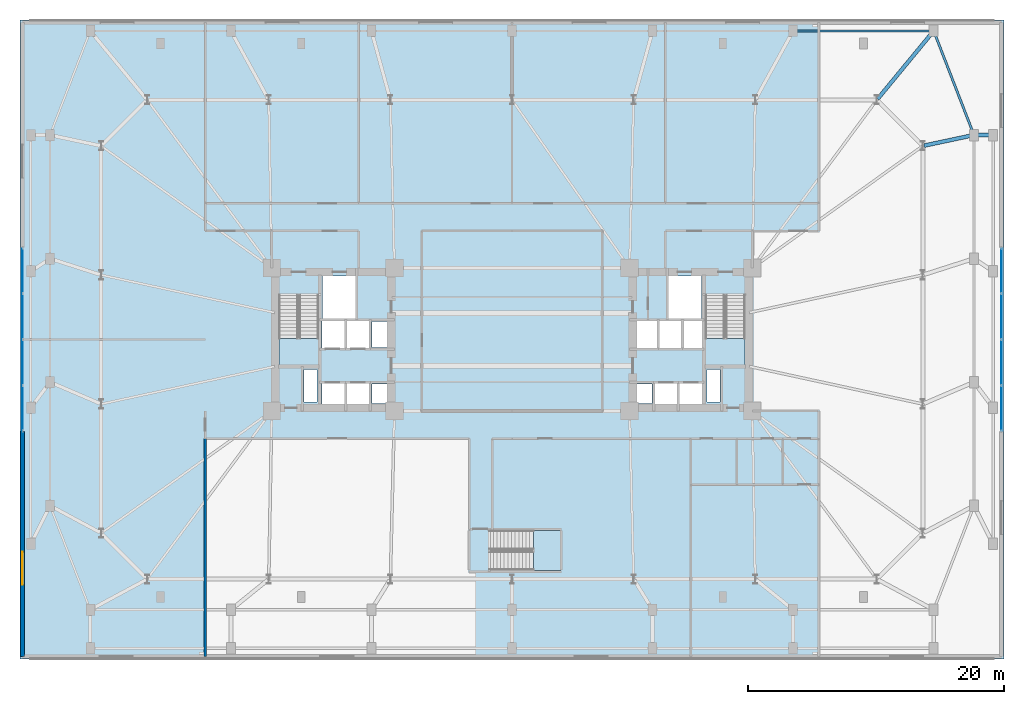
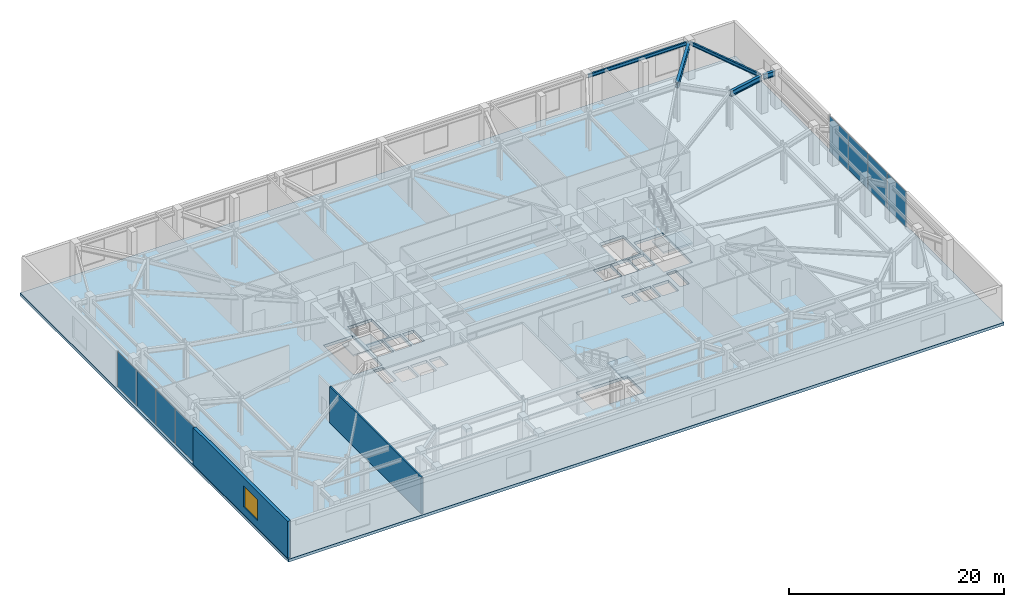
# One storey, part 13 of 23: 8 plates, 5 beams, 4 slabs, 2 walls, 1 window, 1 opening, 5 elements without a shape of their own.
"""IFC4 building model written with IfcOpenShell, lengths in metres."""

from ifc_helpers import new_model, si_unit, direction, frame, frame_2d, origin, origin_2d, place, context, subcontext, project, spatial, polyline, rectangle, i_section, outline, extrude, material, layer, layer_set, material_profile, profile_set, type_object, element, fill, aggregate, save


model = new_model("IFC4")

# Units and contexts
model_context = context("Model", 3, precision=1e-05, world=origin(), true_north=direction((0.0, 1.0)))
body_context = subcontext(model_context, "Body", "Model", "MODEL_VIEW")
ifc_project = project(units=[si_unit("LENGTHUNIT", "METRE"), si_unit("AREAUNIT", "SQUARE_METRE"), si_unit("VOLUMEUNIT", "CUBIC_METRE"), si_unit("PLANEANGLEUNIT", "RADIAN"), si_unit("MASSUNIT", "GRAM", prefix="KILO")], contexts=[model_context])

# Site, building, storey
site_placement = place(None, origin())
site = spatial("IfcSite", under=ifc_project, at=site_placement, CompositionType="ELEMENT")
building_placement = place(site_placement, origin())
building = spatial("IfcBuilding", under=site, at=building_placement, Name="Qobustan Lattice House", CompositionType="ELEMENT")
storey_placement = place(building_placement, frame((0.0, 0.0, 9.0)))
storey = spatial("IfcBuildingStorey", under=building, at=storey_placement, Name="L02", CompositionType="ELEMENT", Elevation=9.0)

# Beams
ifc_material_1 = material(Name="Steel S355", Category="steel")
ifc_material_profile_1 = material_profile(ifc_material_1, i_section(OverallWidth=0.300048828125, OverallDepth=0.60009765625, WebThickness=0.015380859375, FlangeThickness=0.030029296875, FilletRadius=0.027099609375, at=origin_2d()), Name="HEB600")
ifc_profile_set_1 = profile_set([ifc_material_profile_1], Name="Steel S355")
beam_type_1 = type_object("IfcBeamType", Name="BM-POD-HEB600", PredefinedType="USERDEFINED", material=ifc_profile_set_1)
beam_1_placement = place(storey_placement, frame((37.530029296875, 16.0, 3.8701171875), z_axis=(-1.0, 0.0, 0.0), x_axis=(0.0, -1.0, 0.0)))
element("IfcBeam", 1, at=beam_1_placement, inside=storey, type_object=beam_type_1, Name="L02 setback tie girder PEL4", ObjectType="GIRDER", PredefinedType="USERDEFINED", context=body_context, shape_type="SweptSolid", body=[
    extrude(i_section(OverallWidth=0.300048828125, OverallDepth=0.60009765625, WebThickness=0.015380859375, FlangeThickness=0.030029296875, FilletRadius=0.027099609375, at=origin_2d()), origin(), (0.0, 0.0, 1.0), 1.260009765625),
])
beam_2_placement = place(storey_placement, frame((32.923583984375, 24.057373046875, 3.8701171875), z_axis=(-0.635954703728, -0.771726385973, 0.0), x_axis=(0.771726385973, -0.635954703728, 0.0)))
element("IfcBeam", 2, at=beam_2_placement, inside=storey, type_object=beam_type_1, Name="L02 podium radial girder PN7", ObjectType="GIRDER", PredefinedType="USERDEFINED", context=body_context, shape_type="SweptSolid", body=[
    extrude(i_section(OverallWidth=0.300048828125, OverallDepth=0.60009765625, WebThickness=0.015380859375, FlangeThickness=0.030029296875, FilletRadius=0.027099609375, at=origin_2d()), origin(), (0.0, 0.0, 1.0), 6.77734375),
])
beam_3_placement = place(storey_placement, frame((36.03271484375, 15.97509765625, 3.8701171875), z_axis=(-0.978163821655, -0.207835362738, 0.0), x_axis=(0.207835362738, -0.978163821655, 0.0)))
element("IfcBeam", 3, at=beam_3_placement, inside=storey, type_object=beam_type_1, Name="L02 podium radial girder PE4", ObjectType="GIRDER", PredefinedType="USERDEFINED", context=body_context, shape_type="SweptSolid", body=[
    extrude(i_section(OverallWidth=0.300048828125, OverallDepth=0.60009765625, WebThickness=0.015380859375, FlangeThickness=0.030029296875, FilletRadius=0.027099609375, at=origin_2d()), origin(), (0.0, 0.0, 1.0), 3.869384765625),
])
ifc_material_2 = material(Name="Steel S355", Category="steel")
ifc_material_profile_2 = material_profile(ifc_material_2, i_section(OverallWidth=0.179931640625, OverallDepth=0.39990234375, WebThickness=0.008544921875, FlangeThickness=0.013427734375, FilletRadius=0.02099609375, at=origin_2d()), Name="IPE400")
ifc_profile_set_2 = profile_set([ifc_material_profile_2], Name="Steel S355")
beam_type_2 = type_object("IfcBeamType", Name="BM-SPD-IPE400", PredefinedType="SPANDREL", material=ifc_profile_set_2)
beam_4_placement = place(storey_placement, frame((22.1201171875, 24.14990234375, 3.969970703125), z_axis=(1.0, 0.0, 0.0), x_axis=(0.0, 1.0, 0.0)))
element("IfcBeam", 4, at=beam_4_placement, inside=storey, type_object=beam_type_2, Name="L02 podium spandrel PN6-PN7", PredefinedType="SPANDREL", context=body_context, shape_type="SweptSolid", body=[
    extrude(i_section(OverallWidth=0.179931640625, OverallDepth=0.39990234375, WebThickness=0.008544921875, FlangeThickness=0.013427734375, FilletRadius=0.02099609375, at=origin_2d()), origin(), (0.0, 0.0, 1.0), 10.759765625),
])
beam_5_placement = place(storey_placement, frame((33.043212890625, 24.0380859375, 3.969970703125), z_axis=(0.360516886299, -0.932752686779, 0.0), x_axis=(0.932752686779, 0.360516886299, 0.0)))
element("IfcBeam", 5, at=beam_5_placement, inside=storey, type_object=beam_type_2, Name="L02 podium corner tie PN7-PE4", PredefinedType="SPANDREL", context=body_context, shape_type="SweptSolid", body=[
    extrude(i_section(OverallWidth=0.179931640625, OverallDepth=0.39990234375, WebThickness=0.008544921875, FlangeThickness=0.013427734375, FilletRadius=0.02099609375, at=origin_2d()), origin(), (0.0, 0.0, 1.0), 8.49755859375),
])

# Curtain wall, plates
ifc_material_3 = material(Name="Anodised aluminium and low-E glazing", Category="aluminium")
ifc_layer_1 = layer(ifc_material_3, 0.219970703125)
ifc_layer_set_1 = layer_set([ifc_layer_1], Name="Anodised aluminium and low-E glazing")
curtain_wall_type = type_object("IfcCurtainWallType", Name="CW-POD-01", PredefinedType="USERDEFINED", material=ifc_layer_set_1)
curtain_wall_1_placement = place(storey_placement, origin())
curtain_wall_1 = element("IfcCurtainWall", 6, at=curtain_wall_1_placement, inside=storey, type_object=curtain_wall_type, Name="L02 W podium colonnade curtain wall", ObjectType="CURTAIN WALL", PredefinedType="USERDEFINED")
ifc_material_4 = material(Name="Clear low-E laminated glass", Category="glass")
ifc_layer_2 = layer(ifc_material_4, 0.031982421875)
ifc_layer_set_2 = layer_set([ifc_layer_2], Name="Clear low-E laminated glass")
plate_type = type_object("IfcPlateType", Name="CWP-VISION-32", PredefinedType="CURTAIN_PANEL", material=ifc_layer_set_2)
plate_1_placement = place(storey_placement, frame((-38.300048828125, -5.3798828125, 0.06494140625), z_axis=(0.0, 0.0, 1.0), x_axis=(0.0, 1.0, 0.0)))
plate_1 = element("IfcPlate", 7, at=plate_1_placement, type_object=plate_type, Name="CW-P1 panel 1.1", PredefinedType="CURTAIN_PANEL", context=body_context, shape_type="SweptSolid", body=[
    extrude(rectangle(XDim=3.47998046875, YDim=0.031982421875, at=origin_2d()), origin(), (0.0, 0.0, 1.0), 4.0400390625),
])
plate_2_placement = place(storey_placement, frame((-38.300048828125, -1.800048828125, 0.06494140625), z_axis=(0.0, 0.0, 1.0), x_axis=(0.0, 1.0, 0.0)))
plate_2 = element("IfcPlate", 8, at=plate_2_placement, type_object=plate_type, Name="CW-P1 panel 2.1", PredefinedType="CURTAIN_PANEL", context=body_context, shape_type="SweptSolid", body=[
    extrude(rectangle(XDim=3.52001953125, YDim=0.031982421875, at=origin_2d()), origin(), (0.0, 0.0, 1.0), 4.0400390625),
])
plate_3_placement = place(storey_placement, frame((-38.300048828125, 1.800048828125, 0.06494140625), z_axis=(0.0, 0.0, 1.0), x_axis=(0.0, 1.0, 0.0)))
plate_3 = element("IfcPlate", 9, at=plate_3_placement, type_object=plate_type, Name="CW-P1 panel 3.1", PredefinedType="CURTAIN_PANEL", context=body_context, shape_type="SweptSolid", body=[
    extrude(rectangle(XDim=3.52001953125, YDim=0.031982421875, at=origin_2d()), origin(), (0.0, 0.0, 1.0), 4.0400390625),
])
plate_4_placement = place(storey_placement, frame((-38.300048828125, 5.3798828125, 0.06494140625), z_axis=(0.0, 0.0, 1.0), x_axis=(0.0, 1.0, 0.0)))
plate_4 = element("IfcPlate", 10, at=plate_4_placement, type_object=plate_type, Name="CW-P1 panel 4.1", PredefinedType="CURTAIN_PANEL", context=body_context, shape_type="SweptSolid", body=[
    extrude(rectangle(XDim=3.47998046875, YDim=0.031982421875, at=origin_2d()), origin(), (0.0, 0.0, 1.0), 4.0400390625),
])
aggregate(curtain_wall_1, [plate_1, plate_2, plate_3, plate_4])

curtain_wall_2_placement = place(storey_placement, origin())
curtain_wall_2 = element("IfcCurtainWall", 11, at=curtain_wall_2_placement, inside=storey, type_object=curtain_wall_type, Name="L02 E podium colonnade curtain wall", ObjectType="CURTAIN WALL", PredefinedType="USERDEFINED")
plate_5_placement = place(storey_placement, frame((38.300048828125, 5.3798828125, 0.06494140625), z_axis=(0.0, 0.0, 1.0), x_axis=(0.0, -1.0, 0.0)))
plate_5 = element("IfcPlate", 12, at=plate_5_placement, type_object=plate_type, Name="CW-P1 panel 1.1", PredefinedType="CURTAIN_PANEL", context=body_context, shape_type="SweptSolid", body=[
    extrude(rectangle(XDim=3.47998046875, YDim=0.031982421875, at=origin_2d()), origin(), (0.0, 0.0, 1.0), 4.0400390625),
])
plate_6_placement = place(storey_placement, frame((38.300048828125, 1.800048828125, 0.06494140625), z_axis=(0.0, 0.0, 1.0), x_axis=(0.0, -1.0, 0.0)))
plate_6 = element("IfcPlate", 13, at=plate_6_placement, type_object=plate_type, Name="CW-P1 panel 2.1", PredefinedType="CURTAIN_PANEL", context=body_context, shape_type="SweptSolid", body=[
    extrude(rectangle(XDim=3.52001953125, YDim=0.031982421875, at=origin_2d()), origin(), (0.0, 0.0, 1.0), 4.0400390625),
])
plate_7_placement = place(storey_placement, frame((38.300048828125, -1.800048828125, 0.06494140625), z_axis=(0.0, 0.0, 1.0), x_axis=(0.0, -1.0, 0.0)))
plate_7 = element("IfcPlate", 14, at=plate_7_placement, type_object=plate_type, Name="CW-P1 panel 3.1", PredefinedType="CURTAIN_PANEL", context=body_context, shape_type="SweptSolid", body=[
    extrude(rectangle(XDim=3.52001953125, YDim=0.031982421875, at=origin_2d()), origin(), (0.0, 0.0, 1.0), 4.0400390625),
])
plate_8_placement = place(storey_placement, frame((38.300048828125, -5.3798828125, 0.06494140625), z_axis=(0.0, 0.0, 1.0), x_axis=(0.0, -1.0, 0.0)))
plate_8 = element("IfcPlate", 15, at=plate_8_placement, type_object=plate_type, Name="CW-P1 panel 4.1", PredefinedType="CURTAIN_PANEL", context=body_context, shape_type="SweptSolid", body=[
    extrude(rectangle(XDim=3.47998046875, YDim=0.031982421875, at=origin_2d()), origin(), (0.0, 0.0, 1.0), 4.0400390625),
])
aggregate(curtain_wall_2, [plate_5, plate_6, plate_7, plate_8])

# Slab
ifc_material_5 = material(Name="Concrete C45/55", Category="concrete")
ifc_layer_3 = layer(ifc_material_5, 0.330078125)
ifc_layer_set_3 = layer_set([ifc_layer_3], Name="Concrete C45/55")
slab_type_1 = type_object("IfcSlabType", Name="SLB-FLR-330", PredefinedType="FLOOR", material=ifc_layer_set_3)
slab_1_placement = place(storey_placement, frame((0.0, 0.0, -0.330078125)))
element("IfcSlab", 16, at=slab_1_placement, inside=storey, type_object=slab_type_1, Name="L02 structural floor slab", PredefinedType="FLOOR", context=body_context, shape_type="SweptSolid", body=[
    extrude(outline(polyline([(-38.5, -25.0), (38.5, -25.0), (38.5, 25.0), (-38.5, 25.0), (-38.5, -25.0)]), holes=[polyline([(-18.25, -2.050048828125), (-18.25, 3.489990234375), (-15.1298828125, 3.489990234375), (-15.1298828125, -2.050048828125), (-18.25, -2.050048828125)]), polyline([(15.1298828125, -2.050048828125), (15.1298828125, 3.489990234375), (18.25, 3.489990234375), (18.25, -2.050048828125), (15.1298828125, -2.050048828125)]), polyline([(-14.820068359375, 1.64990234375), (-14.820068359375, 4.9599609375), (-12.25, 4.9599609375), (-12.25, 1.64990234375), (-14.820068359375, 1.64990234375)]), polyline([(12.25, 1.64990234375), (12.25, 4.9599609375), (14.820068359375, 4.9599609375), (14.820068359375, 1.64990234375), (12.25, 1.64990234375)]), polyline([(-16.260009765625, -4.8798828125), (-16.260009765625, -2.360107421875), (-15.260009765625, -2.360107421875), (-15.260009765625, -4.8798828125), (-16.260009765625, -4.8798828125)]), polyline([(15.260009765625, -4.8798828125), (15.260009765625, -2.360107421875), (16.260009765625, -2.360107421875), (16.260009765625, -4.8798828125), (15.260009765625, -4.8798828125)]), polyline([(-14.85009765625, -5.35009765625), (-14.85009765625, -3.419921875), (-13.1201171875, -3.419921875), (-13.1201171875, -5.35009765625), (-14.85009765625, -5.35009765625)]), polyline([(-12.919921875, -5.35009765625), (-12.919921875, -3.419921875), (-11.179931640625, -3.419921875), (-11.179931640625, -5.35009765625), (-12.919921875, -5.35009765625)]), polyline([(-14.85009765625, -0.679931640625), (-14.85009765625, 1.47998046875), (-13.1201171875, 1.47998046875), (-13.1201171875, -0.679931640625), (-14.85009765625, -0.679931640625)]), polyline([(-12.919921875, -0.679931640625), (-12.919921875, 1.47998046875), (-11.179931640625, 1.47998046875), (-11.179931640625, -0.679931640625), (-12.919921875, -0.679931640625)]), polyline([(-10.93994140625, -5.0), (-10.93994140625, -3.47998046875), (-9.760009765625, -3.47998046875), (-9.760009765625, -5.0), (-10.93994140625, -5.0)]), polyline([(-10.93994140625, -0.6201171875), (-10.93994140625, 1.419921875), (-9.760009765625, 1.419921875), (-9.760009765625, -0.6201171875), (-10.93994140625, -0.6201171875)]), polyline([(11.179931640625, -5.35009765625), (11.179931640625, -3.419921875), (12.919921875, -3.419921875), (12.919921875, -5.35009765625), (11.179931640625, -5.35009765625)]), polyline([(13.1201171875, -5.35009765625), (13.1201171875, -3.419921875), (14.85009765625, -3.419921875), (14.85009765625, -5.35009765625), (13.1201171875, -5.35009765625)]), polyline([(9.760009765625, -5.0), (9.760009765625, -3.47998046875), (10.93994140625, -3.47998046875), (10.93994140625, -5.0), (9.760009765625, -5.0)]), polyline([(13.360107421875, -0.679931640625), (13.360107421875, 1.47998046875), (14.97998046875, 1.47998046875), (14.97998046875, -0.679931640625), (13.360107421875, -0.679931640625)]), polyline([(9.6201171875, -0.679931640625), (9.6201171875, 1.47998046875), (11.43994140625, 1.47998046875), (11.43994140625, -0.679931640625), (9.6201171875, -0.679931640625)]), polyline([(11.5, -0.679931640625), (11.5, 1.47998046875), (13.320068359375, 1.47998046875), (13.320068359375, -0.679931640625), (11.5, -0.679931640625)]), polyline([(-1.739990234375, -18.06005859375), (-1.739990234375, -14.93994140625), (3.800048828125, -14.93994140625), (3.800048828125, -18.06005859375), (-1.739990234375, -18.06005859375)])]), origin(), (0.0, 0.0, 1.0), 0.330078125),
])

# Stair, slab
ifc_material_6 = material(Name="Concrete C40/50", Category="concrete")
stair_type_1 = type_object("IfcStairType", Name="STR-CORE-DOGLEG", PredefinedType="HALF_TURN_STAIR", material=ifc_material_6)
stair_1_placement = place(storey_placement, origin())
stair_1 = element("IfcStair", 17, at=stair_1_placement, inside=storey, type_object=stair_type_1, Name="L02 West protected exit stair ST-W1", PredefinedType="HALF_TURN_STAIR")
ifc_material_7 = material(Name="Concrete C40/50", Category="concrete")
ifc_layer_4 = layer(ifc_material_7, 0.199951171875)
ifc_layer_set_4 = layer_set([ifc_layer_4], Name="Concrete C40/50")
slab_type_2 = type_object("IfcSlabType", Name="SLB-LANDING-200", PredefinedType="LANDING", material=ifc_layer_set_4)
slab_2_placement = place(storey_placement, frame((0.0, 0.0, 2.050048828125)))
slab_2 = element("IfcSlab", 18, at=slab_2_placement, type_object=slab_type_2, Name="ST-W1 landing 1", PredefinedType="LANDING", context=body_context, shape_type="SweptSolid", body=[
    extrude(outline(polyline([(-18.25, 0.080078125), (-18.25, -2.050048828125), (-15.1298828125, -2.050048828125), (-15.1298828125, 0.080078125), (-18.25, 0.080078125)])), origin(), (0.0, 0.0, 1.0), 0.199951171875),
])
aggregate(stair_1, [slab_2])

stair_2_placement = place(storey_placement, origin())
stair_2 = element("IfcStair", 19, at=stair_2_placement, inside=storey, type_object=stair_type_1, Name="L02 East protected exit stair ST-E1", PredefinedType="HALF_TURN_STAIR")
slab_3_placement = place(storey_placement, frame((0.0, 0.0, 2.050048828125)))
slab_3 = element("IfcSlab", 20, at=slab_3_placement, type_object=slab_type_2, Name="ST-E1 landing 1", PredefinedType="LANDING", context=body_context, shape_type="SweptSolid", body=[
    extrude(outline(polyline([(15.1298828125, 0.080078125), (15.1298828125, -2.050048828125), (18.25, -2.050048828125), (18.25, 0.080078125), (15.1298828125, 0.080078125)])), origin(), (0.0, 0.0, 1.0), 0.199951171875),
])
aggregate(stair_2, [slab_3])

ifc_material_8 = material(Name="Concrete C40/50", Category="concrete")
stair_type_2 = type_object("IfcStairType", Name="STR-POD-DOGLEG", PredefinedType="DOUBLE_RETURN_STAIR", material=ifc_material_8)
stair_3_placement = place(storey_placement, origin())
stair_3 = element("IfcStair", 21, at=stair_3_placement, inside=storey, type_object=stair_type_2, Name="L02 Podium garden exit stair ST-P1", PredefinedType="DOUBLE_RETURN_STAIR")
slab_4_placement = place(storey_placement, frame((0.0, 0.0, 2.050048828125)))
slab_4 = element("IfcSlab", 22, at=slab_4_placement, type_object=slab_type_2, Name="ST-P1 landing 1", PredefinedType="LANDING", context=body_context, shape_type="SweptSolid", body=[
    extrude(outline(polyline([(1.669921875, -18.06005859375), (3.800048828125, -18.06005859375), (3.800048828125, -14.93994140625), (1.669921875, -14.93994140625), (1.669921875, -18.06005859375)])), origin(), (0.0, 0.0, 1.0), 0.199951171875),
])
aggregate(stair_3, [slab_4])

# Wall, opening, window
ifc_material_9 = material(Name="Precast concrete C40/50", Category="concrete")
ifc_layer_5 = layer(ifc_material_9, 0.320068359375)
ifc_layer_set_5 = layer_set([ifc_layer_5], Name="Precast concrete C40/50")
wall_type_1 = type_object("IfcWallType", Name="WAL-EXT-STONE-320", PredefinedType="SOLIDWALL", material=ifc_layer_set_5)
wall_1_placement = place(storey_placement, frame((-38.300048828125, -24.800048828125, 0.0), z_axis=(0.0, 0.0, 1.0), x_axis=(0.0, 1.0, 0.0)))
wall_1 = element("IfcWall", 23, at=wall_1_placement, inside=storey, type_object=wall_type_1, Name="L02 podium stone wall 1A", PredefinedType="SOLIDWALL", context=body_context, shape_type="SweptSolid", body=[
    extrude(rectangle(XDim=17.60009765625, YDim=0.320068359375, at=frame_2d((8.800048828125, 0.0))), origin(), (0.0, 0.0, 1.0), 4.169921875),
])
opening_placement = place(wall_1_placement, frame((5.592041015625, 0.0, 0.85009765625)))
opening = element("IfcOpeningElement", 24, at=opening_placement, cuts=wall_1, Name="Opening WN-06", PredefinedType="OPENING", context=body_context, shape_type="SweptSolid", body=[
    extrude(rectangle(XDim=2.60009765625, YDim=2.39990234375, at=frame_2d((1.300048828125, 1.199951171875))), frame((0.0, 0.169921875, 0.0), z_axis=(0.0, -1.0, 0.0), x_axis=(1.0, 0.0, 0.0)), (0.0, 0.0, 1.0), 0.340087890625),
])
ifc_material_10 = material(Name="Double-glazed low-E aluminium window", Category="aluminium")
window_type = type_object("IfcWindowType", Name="WIN-POD-2600x2400", PartitioningType="SINGLE_PANEL", PredefinedType="WINDOW", material=ifc_material_10)
window_placement = place(opening_placement, origin())
window = element("IfcWindow", 25, at=window_placement, inside=storey, type_object=window_type, Name="L02 Architecture fabrication makerspace window", OverallHeight=2.39990234375, OverallWidth=2.60009765625, PartitioningType="SINGLE_PANEL", PredefinedType="WINDOW", context=body_context, shape_type="SweptSolid", body=[
    extrude(rectangle(XDim=2.60009765625, YDim=2.39990234375, at=frame_2d((1.300048828125, 1.199951171875))), frame((0.0, 0.030029296875, 0.0), z_axis=(0.0, -1.0, 0.0), x_axis=(1.0, 0.0, 0.0)), (0.0, 0.0, 1.0), 0.06005859375),
])
fill(opening, window)

# Wall
ifc_material_11 = material(Name="High-mass acoustic twin-stud partition", Category="gypsum")
ifc_layer_6 = layer(ifc_material_11, 0.1650390625)
ifc_layer_set_6 = layer_set([ifc_layer_6], Name="High-mass acoustic twin-stud partition")
wall_type_2 = type_object("IfcWallType", Name="WAL-PART-165", PredefinedType="PARTITIONING", material=ifc_layer_set_6)
wall_2_placement = place(storey_placement, frame((-24.0, -7.75, 0.0), z_axis=(0.0, 0.0, 1.0), x_axis=(0.0, -1.0, 0.0)))
element("IfcWall", 26, at=wall_2_placement, inside=storey, type_object=wall_type_2, Name="L02 interior partition 62", PredefinedType="PARTITIONING", context=body_context, shape_type="SweptSolid", body=[
    extrude(rectangle(XDim=17.050048828125, YDim=0.1650390625, at=frame_2d((8.52490234375, 0.0))), origin(), (0.0, 0.0, 1.0), 4.169921875),
])

save(model, "model.ifc")
